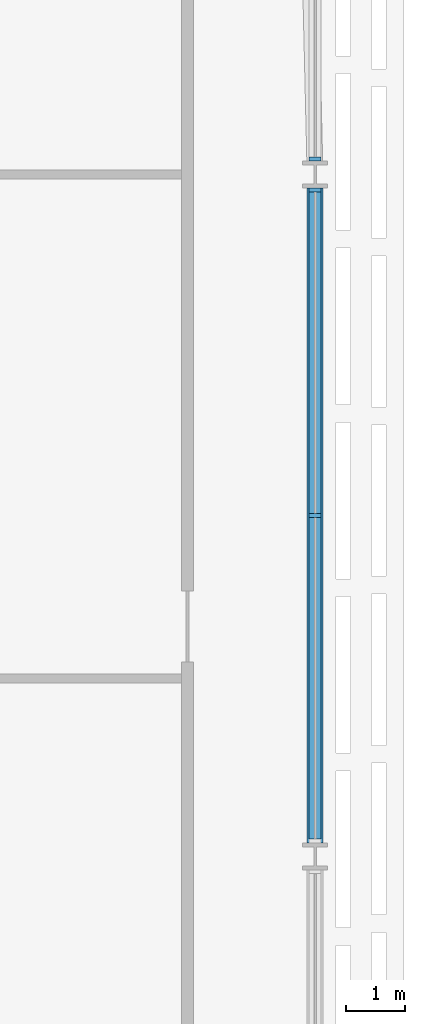
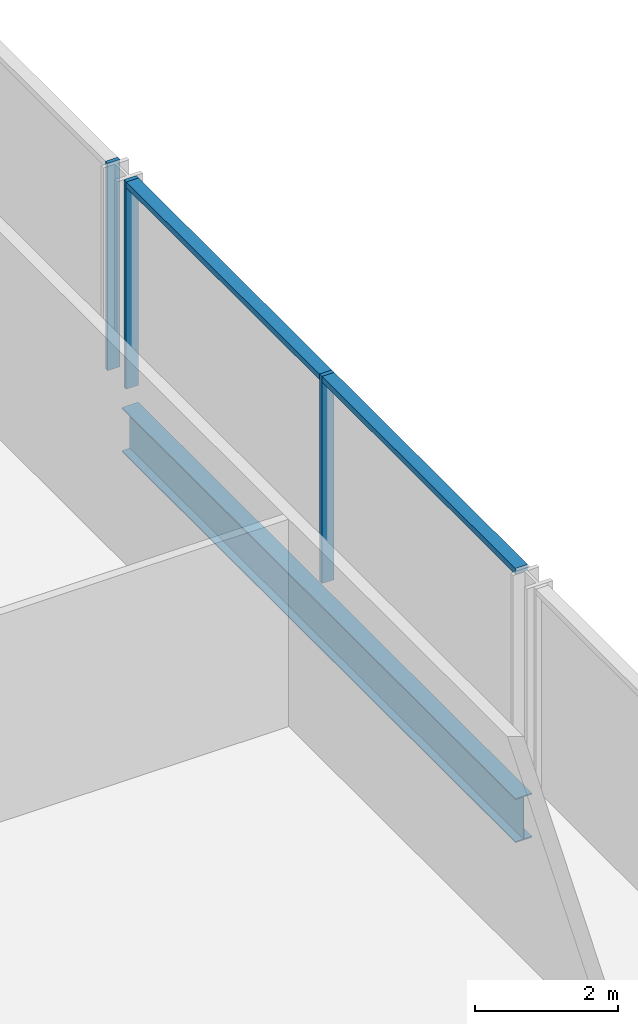
# One storey, part 9 of 29: 5 members, 1 beam, 2 elements without a shape of their own.
"""IFC4 building model written with IfcOpenShell, lengths in metres."""

from ifc_helpers import new_model, si_unit, direction, frame, origin, origin_2d, place, context, subcontext, project, spatial, rectangle, i_section, extrude, material, material_profile, profile_set, type_object, element, aggregate, save


model = new_model("IFC4")

# Units and contexts
model_context = context("Model", 3, precision=1e-05, world=origin(), true_north=direction((0.0, 1.0)))
body_context = subcontext(model_context, "Body", "Model", "MODEL_VIEW")
ifc_project = project(units=[si_unit("LENGTHUNIT", "METRE"), si_unit("AREAUNIT", "SQUARE_METRE"), si_unit("VOLUMEUNIT", "CUBIC_METRE"), si_unit("PLANEANGLEUNIT", "RADIAN"), si_unit("MASSUNIT", "GRAM", prefix="KILO")], contexts=[model_context])

# Site, building, storey
site_placement = place(None, origin())
site = spatial("IfcSite", under=ifc_project, at=site_placement, CompositionType="ELEMENT")
building_placement = place(site_placement, origin())
building = spatial("IfcBuilding", under=site, at=building_placement, Name="Mahtab Terrace Research Tower", CompositionType="ELEMENT")
storey_placement = place(building_placement, frame((0.0, 0.0, 113.5)))
storey = spatial("IfcBuildingStorey", under=building, at=storey_placement, Name="L26", CompositionType="ELEMENT", Elevation=113.5)

# Curtain wall, members
ifc_material_1 = material(Name="Laboratory ribbon curtain wall")
curtain_wall_type = type_object("IfcCurtainWallType", Name="Laboratory ribbon curtain wall", PredefinedType="NOTDEFINED", material=ifc_material_1)
curtain_wall_1_placement = place(storey_placement, origin())
curtain_wall_1 = element("IfcCurtainWall", 1, at=curtain_wall_1_placement, inside=storey, type_object=curtain_wall_type, Name="EN.L26.18.37", PredefinedType="NOTDEFINED")
ifc_material_2 = material(Name="Natural anodised aluminium", Category="aluminium")
ifc_material_profile_1 = material_profile(ifc_material_2, rectangle(XDim=0.199951171875, YDim=0.06494140625, at=origin_2d()), Name="MULLION 65x200")
ifc_profile_set_1 = profile_set([ifc_material_profile_1], Name="Natural anodised aluminium")
member_type_1 = type_object("IfcMemberType", Name="Laboratory ribbon curtain wall mullion", PredefinedType="MULLION", material=ifc_profile_set_1)
member_1_placement = place(storey_placement, frame((54.0, 5.75, 0.0), z_axis=(0.0, 0.0, 1.0), x_axis=(-1.0, 0.0, 0.0)))
member_1 = element("IfcMember", 2, at=member_1_placement, type_object=member_type_1, Name="CWL-3 mullion 2", PredefinedType="MULLION", context=body_context, shape_type="SweptSolid", body=[
    extrude(rectangle(XDim=0.199951171875, YDim=0.06494140625, at=origin_2d()), origin(), (0.0, 0.0, 1.0), 3.550048828125),
])
member_2_placement = place(storey_placement, frame((54.0, 11.239501953125, 0.0), z_axis=(0.0, 0.0, 1.0), x_axis=(-1.0, 0.0, 0.0)))
member_2 = element("IfcMember", 3, at=member_2_placement, type_object=member_type_1, Name="CWL-3 mullion 3", PredefinedType="MULLION", context=body_context, shape_type="SweptSolid", body=[
    extrude(rectangle(XDim=0.199951171875, YDim=0.06494140625, at=origin_2d()), origin(), (0.0, 0.0, 1.0), 3.550048828125),
])

# Curtain wall, member
curtain_wall_2_placement = place(storey_placement, origin())
curtain_wall_2 = element("IfcCurtainWall", 4, at=curtain_wall_2_placement, inside=storey, type_object=curtain_wall_type, Name="EN.L26.18.38", PredefinedType="NOTDEFINED")
member_3_placement = place(storey_placement, frame((54.0, 11.760498046875, 0.0), z_axis=(0.0, 0.0, 1.0), x_axis=(-1.0, 0.0, 0.0)))
member_3 = element("IfcMember", 5, at=member_3_placement, type_object=member_type_1, Name="CWL-3 mullion 1", PredefinedType="MULLION", context=body_context, shape_type="SweptSolid", body=[
    extrude(rectangle(XDim=0.199951171875, YDim=0.06494140625, at=origin_2d()), origin(), (0.0, 0.0, 1.0), 3.550048828125),
])
aggregate(curtain_wall_2, [member_3])

# Member
ifc_material_profile_2 = material_profile(ifc_material_2, rectangle(XDim=0.199951171875, YDim=0.10009765625, at=origin_2d()), Name="TRANSOM 100x200")
ifc_profile_set_2 = profile_set([ifc_material_profile_2], Name="Natural anodised aluminium")
member_type_2 = type_object("IfcMemberType", Name="Laboratory ribbon curtain wall transom", PredefinedType="USERDEFINED", material=ifc_profile_set_2)
member_4_placement = place(storey_placement, frame((54.0, 0.29296875, 3.5), z_axis=(0.0, 1.0, 0.0), x_axis=(-1.0, 0.0, 0.0)))
member_4 = element("IfcMember", 6, at=member_4_placement, type_object=member_type_2, Name="CWL-3 transom 1", ObjectType="TRANSOM", PredefinedType="USERDEFINED", context=body_context, shape_type="SweptSolid", body=[
    extrude(rectangle(XDim=0.199951171875, YDim=0.10009765625, at=origin_2d()), origin(), (0.0, 0.0, 1.0), 5.424560546875),
])

member_5_placement = place(storey_placement, frame((54.0, 5.782470703125, 3.5), z_axis=(0.0, 1.0, 0.0), x_axis=(-1.0, 0.0, 0.0)))
member_5 = element("IfcMember", 7, at=member_5_placement, type_object=member_type_2, Name="CWL-3 transom 2", ObjectType="TRANSOM", PredefinedType="USERDEFINED", context=body_context, shape_type="SweptSolid", body=[
    extrude(rectangle(XDim=0.199951171875, YDim=0.10009765625, at=origin_2d()), origin(), (0.0, 0.0, 1.0), 5.424560546875),
])

aggregate(curtain_wall_1, [member_1, member_2, member_4, member_5])

# Beam
ifc_material_3 = material(Name="Steel ASTM A992 Gr 50", Category="steel")
ifc_material_profile_3 = material_profile(ifc_material_3, i_section(OverallWidth=0.2666015625, OverallDepth=0.7568359375, WebThickness=0.013916015625, FlangeThickness=0.019287109375, at=origin_2d()), Name="W30X108")
ifc_profile_set_3 = profile_set([ifc_material_profile_3], Name="Steel ASTM A992 Gr 50")
beam_type = type_object("IfcBeamType", Name="W30x108 beam BS30108", PredefinedType="BEAM", material=ifc_profile_set_3)
beam_placement = place(storey_placement, frame((54.0, 0.227294921875, -0.718505859375), z_axis=(0.0, 1.0, 0.0), x_axis=(-1.0, 0.0, 0.0)))
element("IfcBeam", 8, at=beam_placement, inside=storey, type_object=beam_type, Name="Spandrel beam L26 21", PredefinedType="BEAM", context=body_context, shape_type="SweptSolid", body=[
    extrude(i_section(OverallWidth=0.2666015625, OverallDepth=0.7568359375, WebThickness=0.013916015625, FlangeThickness=0.019287109375, at=origin_2d()), origin(), (0.0, 0.0, 1.0), 11.04541015625),
])

save(model, "model.ifc")
